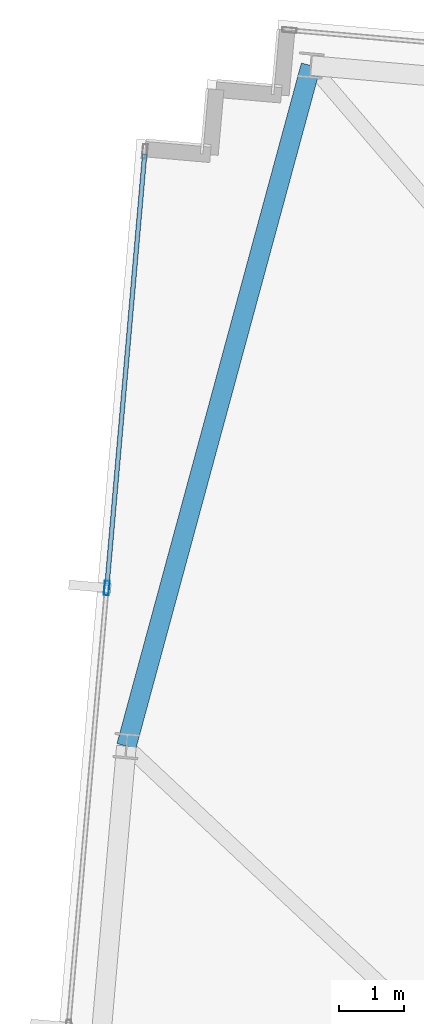
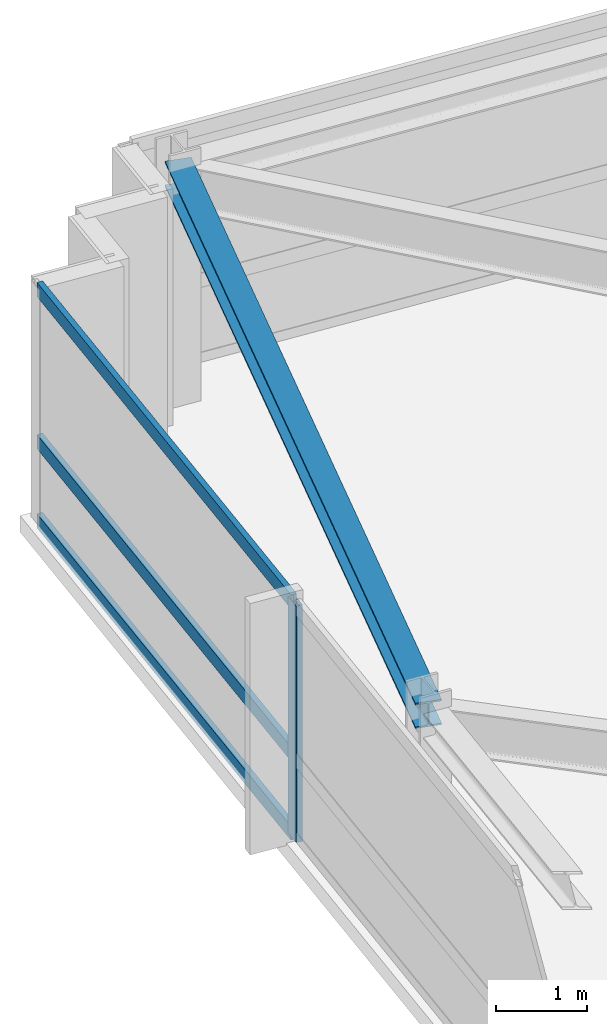
# One storey, part 8 of 24: 4 members, 1 beam, 1 element without a shape of its own.
"""IFC4 building model written with IfcOpenShell, lengths in metres."""

from ifc_helpers import new_model, si_unit, direction, frame, origin, origin_2d, place, context, subcontext, project, spatial, hollow_rectangle, i_section, extrude, material, material_profile, profile_set, type_object, element, aggregate, save


model = new_model("IFC4")

# Units and contexts
model_context = context("Model", 3, precision=1e-05, world=origin(), true_north=direction((0.0, 1.0)))
body_context = subcontext(model_context, "Body", "Model", "MODEL_VIEW")
ifc_project = project(units=[si_unit("LENGTHUNIT", "METRE"), si_unit("AREAUNIT", "SQUARE_METRE"), si_unit("VOLUMEUNIT", "CUBIC_METRE"), si_unit("PLANEANGLEUNIT", "RADIAN"), si_unit("MASSUNIT", "GRAM", prefix="KILO")], contexts=[model_context])

# Site, building, storey
site_placement = place(None, origin())
site = spatial("IfcSite", under=ifc_project, at=site_placement, CompositionType="ELEMENT")
building_placement = place(site_placement, origin())
building = spatial("IfcBuilding", under=site, at=building_placement, Name="Yelkora Congress Tower", CompositionType="ELEMENT")
storey_placement = place(building_placement, frame((0.0, 0.0, 296.5)))
storey = spatial("IfcBuildingStorey", under=building, at=storey_placement, Name="L83", CompositionType="ELEMENT", Elevation=296.5)

# Beam
ifc_material_1 = material(Name="Steel S355J2", Category="steel")
ifc_material_profile_1 = material_profile(ifc_material_1, i_section(OverallWidth=0.300048828125, OverallDepth=0.340087890625, WebThickness=0.011962890625, FlangeThickness=0.021484375, FilletRadius=0.027099609375, at=origin_2d()), Name="HEB 340")
ifc_profile_set_1 = profile_set([ifc_material_profile_1], Name="Steel S355J2")
beam_type = type_object("IfcBeamType", Name="BM-SPAN-HEB340", PredefinedType="SPANDREL", material=ifc_profile_set_1)
beam_placement = place(storey_placement, frame((10.60400390625, 49.884033203125, 3.010009765625), z_axis=(-0.261553643334, -0.965188940912, 0.0), x_axis=(0.965188940912, -0.261553643334, 0.0)))
element("IfcBeam", 1, at=beam_placement, inside=storey, type_object=beam_type, Name="L83 Perimeter Beam 13", PredefinedType="SPANDREL", context=body_context, shape_type="SweptSolid", body=[
    extrude(i_section(OverallWidth=0.300048828125, OverallDepth=0.340087890625, WebThickness=0.011962890625, FlangeThickness=0.021484375, FilletRadius=0.027099609375, at=origin_2d()), origin(), (0.0, 0.0, 1.0), 10.768798828125),
])

# Curtain wall, members
ifc_material_2 = material(Name="Anodised aluminium and insulated glass", Category="aluminium")
curtain_wall_type = type_object("IfcCurtainWallType", Name="CW-SYS-SKY", PredefinedType="NOTDEFINED", material=ifc_material_2)
curtain_wall_placement = place(storey_placement, origin())
curtain_wall = element("IfcCurtainWall", 2, at=curtain_wall_placement, inside=storey, type_object=curtain_wall_type, Name="L83 Unitised Curtain Wall 5", PredefinedType="NOTDEFINED")
ifc_material_3 = material(Name="Anodised aluminium 6063-T6", Category="aluminium")
ifc_material_profile_2 = material_profile(ifc_material_3, hollow_rectangle(XDim=0.074951171875, YDim=0.219970703125, WallThickness=0.0048828125, at=origin_2d()), Name="ALU 75x220x5")
ifc_profile_set_2 = profile_set([ifc_material_profile_2], Name="Anodised aluminium 6063-T6")
member_type_1 = type_object("IfcMemberType", Name="MEM-ML-SKY", PredefinedType="MULLION", material=ifc_profile_set_2)
member_1_placement = place(storey_placement, frame((7.48681640625, 41.9052734375, 0.0), z_axis=(0.0, 0.0, 1.0), x_axis=(-0.996194785929, 0.08715473876, 0.0)))
member_1 = element("IfcMember", 3, at=member_1_placement, type_object=member_type_1, Name="CW-SKY mullion 4", PredefinedType="MULLION", context=body_context, shape_type="SweptSolid", body=[
    extrude(hollow_rectangle(XDim=0.074951171875, YDim=0.219970703125, WallThickness=0.0048828125, at=origin_2d()), origin(), (0.0, 0.0, 1.0), 3.179931640625),
])
ifc_material_profile_3 = material_profile(ifc_material_3, hollow_rectangle(XDim=0.070068359375, YDim=0.18994140625, WallThickness=0.00390625, at=origin_2d()), Name="ALU 70x190x4")
ifc_profile_set_3 = profile_set([ifc_material_profile_3], Name="Anodised aluminium 6063-T6")
member_type_2 = type_object("IfcMemberType", Name="MEM-TR-SKY", PredefinedType="USERDEFINED", material=ifc_profile_set_3)
member_2_placement = place(storey_placement, frame((7.489990234375, 41.942626953125, 0.034912109375), z_axis=(0.087142236417, 0.99619587965, 0.0), x_axis=(-0.99619587965, 0.087142236417, 0.0)))
member_2 = element("IfcMember", 4, at=member_2_placement, type_object=member_type_2, Name="CW-SKY transom 4.1", ObjectType="TRANSOM", PredefinedType="USERDEFINED", context=body_context, shape_type="SweptSolid", body=[
    extrude(hollow_rectangle(XDim=0.070068359375, YDim=0.18994140625, WallThickness=0.00390625, at=origin_2d()), origin(), (0.0, 0.0, 1.0), 6.617431640625),
])
member_3_placement = place(storey_placement, frame((7.489990234375, 41.942626953125, 1.10009765625), z_axis=(0.087142236417, 0.99619587965, 0.0), x_axis=(-0.99619587965, 0.087142236417, 0.0)))
member_3 = element("IfcMember", 5, at=member_3_placement, type_object=member_type_2, Name="CW-SKY transom 4.2", ObjectType="TRANSOM", PredefinedType="USERDEFINED", context=body_context, shape_type="SweptSolid", body=[
    extrude(hollow_rectangle(XDim=0.070068359375, YDim=0.18994140625, WallThickness=0.00390625, at=origin_2d()), origin(), (0.0, 0.0, 1.0), 6.617431640625),
])
member_4_placement = place(storey_placement, frame((7.489990234375, 41.942626953125, 3.14501953125), z_axis=(0.087142236417, 0.99619587965, 0.0), x_axis=(-0.99619587965, 0.087142236417, 0.0)))
member_4 = element("IfcMember", 6, at=member_4_placement, type_object=member_type_2, Name="CW-SKY transom 4.3", ObjectType="TRANSOM", PredefinedType="USERDEFINED", context=body_context, shape_type="SweptSolid", body=[
    extrude(hollow_rectangle(XDim=0.070068359375, YDim=0.18994140625, WallThickness=0.00390625, at=origin_2d()), origin(), (0.0, 0.0, 1.0), 6.617431640625),
])
aggregate(curtain_wall, [member_1, member_2, member_3, member_4])

save(model, "model.ifc")
